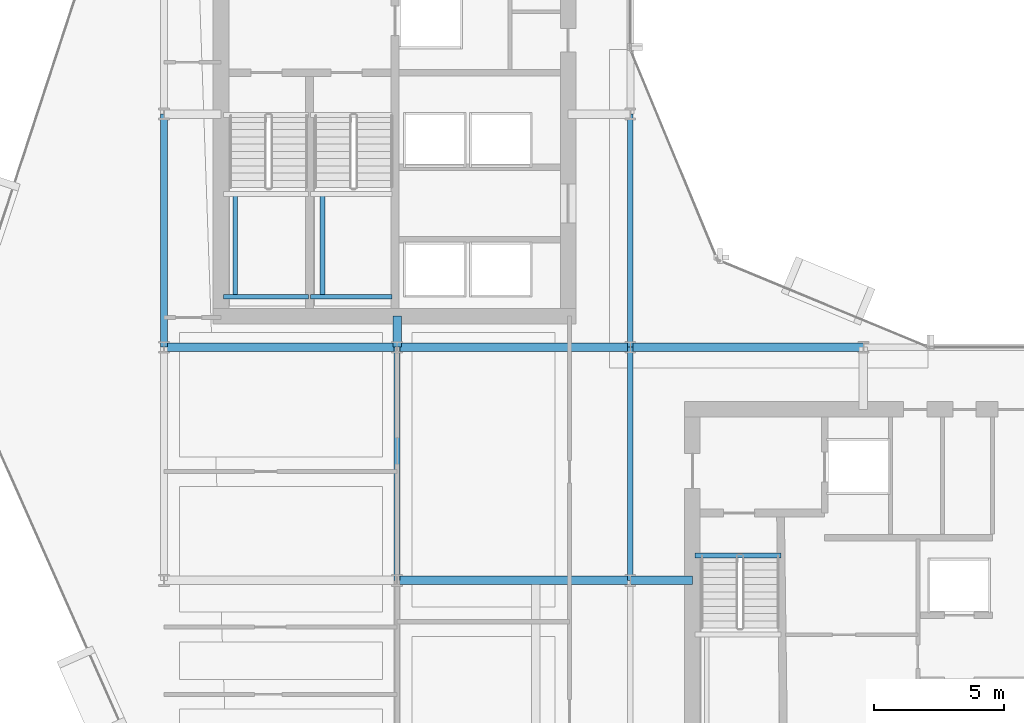
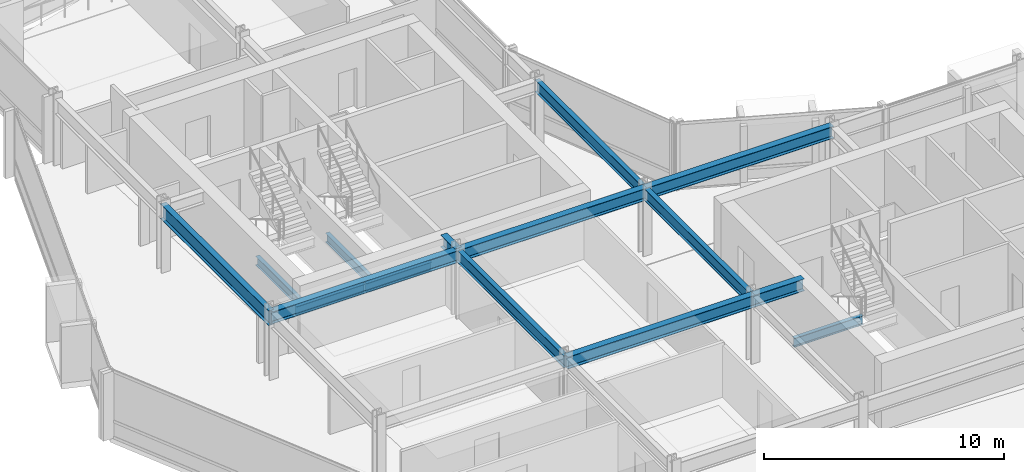
# One storey, part 7 of 29: 15 beams.
"""IFC4 building model written with IfcOpenShell, lengths in metres."""

from ifc_helpers import new_model, si_unit, direction, frame, origin, origin_2d, place, context, subcontext, project, spatial, i_section, extrude, material, material_profile, profile_set, type_object, element, save


model = new_model("IFC4")

# Units and contexts
model_context = context("Model", 3, precision=1e-05, world=origin(), true_north=direction((0.0, 1.0)))
body_context = subcontext(model_context, "Body", "Model", "MODEL_VIEW")
ifc_project = project(units=[si_unit("LENGTHUNIT", "METRE"), si_unit("AREAUNIT", "SQUARE_METRE"), si_unit("VOLUMEUNIT", "CUBIC_METRE"), si_unit("PLANEANGLEUNIT", "RADIAN"), si_unit("MASSUNIT", "GRAM", prefix="KILO")], contexts=[model_context])

# Site, building, storey
site_placement = place(None, origin())
site = spatial("IfcSite", under=ifc_project, at=site_placement, CompositionType="ELEMENT")
building_placement = place(site_placement, origin())
building = spatial("IfcBuilding", under=site, at=building_placement, Name="Solvaryn Broadcast Tower", CompositionType="ELEMENT")
storey_placement = place(building_placement, frame((0.0, 0.0, 113.699951171875)))
storey = spatial("IfcBuildingStorey", under=building, at=storey_placement, Name="L27", CompositionType="ELEMENT", Elevation=113.699951171875)

# Beams
ifc_material_1 = material(Name="Steel ASTM A992 Grade 50", Category="steel")
ifc_material_profile_1 = material_profile(ifc_material_1, i_section(OverallWidth=0.323974609375, OverallDepth=0.611083984375, WebThickness=0.0126953125, FlangeThickness=0.01904296875, FilletRadius=0.014892578125, at=origin_2d()))
ifc_profile_set_1 = profile_set([ifc_material_profile_1], Name="Steel ASTM A992 Grade 50")
beam_type_1 = type_object("IfcBeamType", Name="BM-B1-W24X104", PredefinedType="BEAM", material=ifc_profile_set_1)
for number, where, z_axis, x_axis, name in (
    (1, (18.0, 18.0, 3.114501953125), (1.0, 0.0, 0.0), (0.0, 1.0, 0.0), "L27 Primary Beam X (18-27 @ Y=18)"),
    (2, (9.0, 27.0, 3.114501953125), (1.0, 0.0, 0.0), (0.0, 1.0, 0.0), "L27 Primary Beam X (9-18 @ Y=27)"),
    (3, (18.0, 27.0, 3.114501953125), (1.0, 0.0, 0.0), (0.0, 1.0, 0.0), "L27 Primary Beam X (18-27 @ Y=27)"),
    (4, (27.0, 27.0, 3.114501953125), (1.0, 0.0, 0.0), (0.0, 1.0, 0.0), "L27 Primary Beam X (27-36 @ Y=27)"),
):
    element("IfcBeam", number, at=place(storey_placement, frame(where, z_axis=z_axis, x_axis=x_axis)), inside=storey, type_object=beam_type_1, Name=name, PredefinedType="BEAM", context=body_context, shape_type="SweptSolid", body=[
        extrude(i_section(OverallWidth=0.323974609375, OverallDepth=0.611083984375, WebThickness=0.0126953125, FlangeThickness=0.01904296875, FilletRadius=0.014892578125, at=origin_2d()), origin(), (0.0, 0.0, 1.0), 9.0),
    ])
beam_1_placement = place(storey_placement, frame((18.0, 27.0, 3.114501953125), z_axis=(0.0, 1.0, 0.0), x_axis=(-1.0, 0.0, 0.0)))
element("IfcBeam", 5, at=beam_1_placement, inside=storey, type_object=beam_type_1, Name="L27 Core Tie Beam CTW4", PredefinedType="BEAM", context=body_context, shape_type="SweptSolid", body=[
    extrude(i_section(OverallWidth=0.323974609375, OverallDepth=0.611083984375, WebThickness=0.0126953125, FlangeThickness=0.01904296875, FilletRadius=0.014892578125, at=origin_2d()), origin(), (0.0, 0.0, 1.0), 1.199951171875),
])
beam_2_placement = place(storey_placement, frame((27.0, 18.0, 3.114501953125), z_axis=(1.0, 0.0, 0.0), x_axis=(0.0, 1.0, 0.0)))
element("IfcBeam", 6, at=beam_2_placement, inside=storey, type_object=beam_type_1, Name="L27 Core Tie Beam CTE4", PredefinedType="BEAM", context=body_context, shape_type="SweptSolid", body=[
    extrude(i_section(OverallWidth=0.323974609375, OverallDepth=0.611083984375, WebThickness=0.0126953125, FlangeThickness=0.01904296875, FilletRadius=0.014892578125, at=origin_2d()), origin(), (0.0, 0.0, 1.0), 2.39990234375),
])
ifc_material_2 = material(Name="Steel ASTM A992 Grade 50", Category="steel")
ifc_material_profile_2 = material_profile(ifc_material_2, i_section(OverallWidth=0.22802734375, OverallDepth=0.60791015625, WebThickness=0.01123046875, FlangeThickness=0.017333984375, FilletRadius=0.014892578125, at=origin_2d()))
ifc_profile_set_2 = profile_set([ifc_material_profile_2], Name="Steel ASTM A992 Grade 50")
beam_type_2 = type_object("IfcBeamType", Name="BM-B2-W24X76", PredefinedType="BEAM", material=ifc_profile_set_2)
for number, where, z_axis, x_axis, name in (
    (7, (18.0, 18.0, 3.115966796875), (0.0, 1.0, 0.0), (-1.0, 0.0, 0.0), "L27 Primary Beam Y (18-27 @ X=18)"),
    (8, (27.0, 18.0, 3.115966796875), (0.0, 1.0, 0.0), (-1.0, 0.0, 0.0), "L27 Primary Beam Y (18-27 @ X=27)"),
    (9, (27.0, 27.0, 3.115966796875), (0.0, 1.0, 0.0), (-1.0, 0.0, 0.0), "L27 Primary Beam Y (27-36 @ X=27)"),
):
    element("IfcBeam", number, at=place(storey_placement, frame(where, z_axis=z_axis, x_axis=x_axis)), inside=storey, type_object=beam_type_2, Name=name, PredefinedType="BEAM", context=body_context, shape_type="SweptSolid", body=[
        extrude(i_section(OverallWidth=0.22802734375, OverallDepth=0.60791015625, WebThickness=0.01123046875, FlangeThickness=0.017333984375, FilletRadius=0.014892578125, at=origin_2d()), origin(), (0.0, 0.0, 1.0), 9.0),
    ])
ifc_material_3 = material(Name="Steel ASTM A992 Grade 50", Category="steel")
ifc_material_profile_3 = material_profile(ifc_material_3, i_section(OverallWidth=0.18994140625, OverallDepth=0.45703125, WebThickness=0.009033203125, FlangeThickness=0.014404296875, FilletRadius=0.011962890625, at=origin_2d()))
ifc_profile_set_3 = profile_set([ifc_material_profile_3], Name="Steel ASTM A992 Grade 50")
beam_type_3 = type_object("IfcBeamType", Name="BM-B4-W18X50", PredefinedType="BEAM", material=ifc_profile_set_3)
beam_3_placement = place(storey_placement, frame((11.300048828125, 28.949951171875, 1.421630859375), z_axis=(1.0, 0.0, 0.0), x_axis=(0.0, 1.0, 0.0)))
element("IfcBeam", 10, at=beam_3_placement, inside=storey, type_object=beam_type_3, Name="L27 ST1 Landing Support Beam 1A", PredefinedType="BEAM", context=body_context, shape_type="SweptSolid", body=[
    extrude(i_section(OverallWidth=0.18994140625, OverallDepth=0.45703125, WebThickness=0.009033203125, FlangeThickness=0.014404296875, FilletRadius=0.011962890625, at=origin_2d()), origin(), (0.0, 0.0, 1.0), 3.280029296875),
])
beam_4_placement = place(storey_placement, frame((11.75, 28.949951171875, 1.421630859375), z_axis=(0.0, 1.0, 0.0), x_axis=(-1.0, 0.0, 0.0)))
element("IfcBeam", 11, at=beam_4_placement, inside=storey, type_object=beam_type_3, Name="L27 ST1 Landing Cross Stringer 1C", PredefinedType="BEAM", context=body_context, shape_type="SweptSolid", body=[
    extrude(i_section(OverallWidth=0.18994140625, OverallDepth=0.45703125, WebThickness=0.009033203125, FlangeThickness=0.014404296875, FilletRadius=0.011962890625, at=origin_2d()), origin(), (0.0, 0.0, 1.0), 3.9599609375),
])
beam_5_placement = place(storey_placement, frame((14.659912109375, 28.949951171875, 1.421630859375), z_axis=(1.0, 0.0, 0.0), x_axis=(0.0, 1.0, 0.0)))
element("IfcBeam", 12, at=beam_5_placement, inside=storey, type_object=beam_type_3, Name="L27 ST2 Landing Support Beam 1A", PredefinedType="BEAM", context=body_context, shape_type="SweptSolid", body=[
    extrude(i_section(OverallWidth=0.18994140625, OverallDepth=0.45703125, WebThickness=0.009033203125, FlangeThickness=0.014404296875, FilletRadius=0.011962890625, at=origin_2d()), origin(), (0.0, 0.0, 1.0), 3.14013671875),
])
beam_6_placement = place(storey_placement, frame((15.110107421875, 28.949951171875, 1.421630859375), z_axis=(0.0, 1.0, 0.0), x_axis=(-1.0, 0.0, 0.0)))
element("IfcBeam", 13, at=beam_6_placement, inside=storey, type_object=beam_type_3, Name="L27 ST2 Landing Cross Stringer 1C", PredefinedType="BEAM", context=body_context, shape_type="SweptSolid", body=[
    extrude(i_section(OverallWidth=0.18994140625, OverallDepth=0.45703125, WebThickness=0.009033203125, FlangeThickness=0.014404296875, FilletRadius=0.011962890625, at=origin_2d()), origin(), (0.0, 0.0, 1.0), 3.9599609375),
])
beam_7_placement = place(storey_placement, frame((29.5, 18.9599609375, -0.508544921875), z_axis=(1.0, 0.0, 0.0), x_axis=(0.0, 1.0, 0.0)))
element("IfcBeam", 14, at=beam_7_placement, inside=storey, type_object=beam_type_3, Name="L27 ST3 Stair Well Trimmer Beam", PredefinedType="BEAM", context=body_context, shape_type="SweptSolid", body=[
    extrude(i_section(OverallWidth=0.18994140625, OverallDepth=0.45703125, WebThickness=0.009033203125, FlangeThickness=0.014404296875, FilletRadius=0.011962890625, at=origin_2d()), origin(), (0.0, 0.0, 1.0), 3.320068359375),
])
ifc_material_4 = material(Name="Steel ASTM A992 Grade 50", Category="steel")
ifc_material_profile_4 = material_profile(ifc_material_4, i_section(OverallWidth=0.26708984375, OverallDepth=0.76611328125, WebThickness=0.014892578125, FlangeThickness=0.023681640625, FilletRadius=0.01806640625, at=origin_2d()))
ifc_profile_set_4 = profile_set([ifc_material_profile_4], Name="Steel ASTM A992 Grade 50")
beam_type_4 = type_object("IfcBeamType", Name="BM-SP2-W30X124", PredefinedType="USERDEFINED", material=ifc_profile_set_4)
beam_8_placement = place(storey_placement, frame((9.0, 27.0, 3.037109375), z_axis=(0.0, 1.0, 0.0), x_axis=(-1.0, 0.0, 0.0)))
element("IfcBeam", 15, at=beam_8_placement, inside=storey, type_object=beam_type_4, Name="L27 Spandrel Beam Y (27-36 @ X=9)", ObjectType="SPANDREL", PredefinedType="USERDEFINED", context=body_context, shape_type="SweptSolid", body=[
    extrude(i_section(OverallWidth=0.26708984375, OverallDepth=0.76611328125, WebThickness=0.014892578125, FlangeThickness=0.023681640625, FilletRadius=0.01806640625, at=origin_2d()), origin(), (0.0, 0.0, 1.0), 9.0),
])

save(model, "model.ifc")
